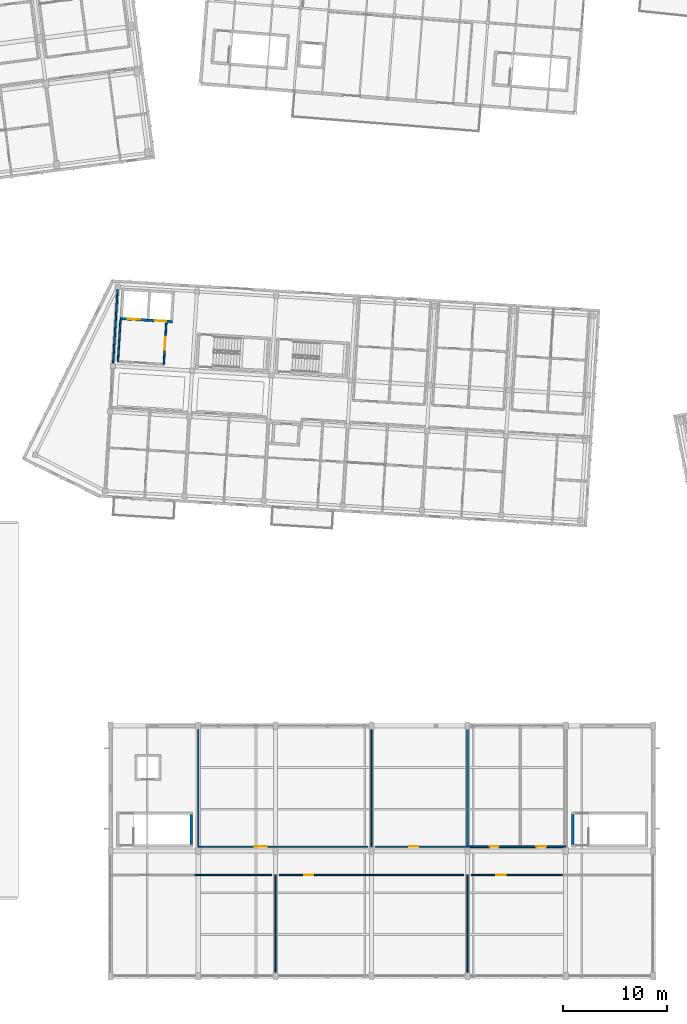
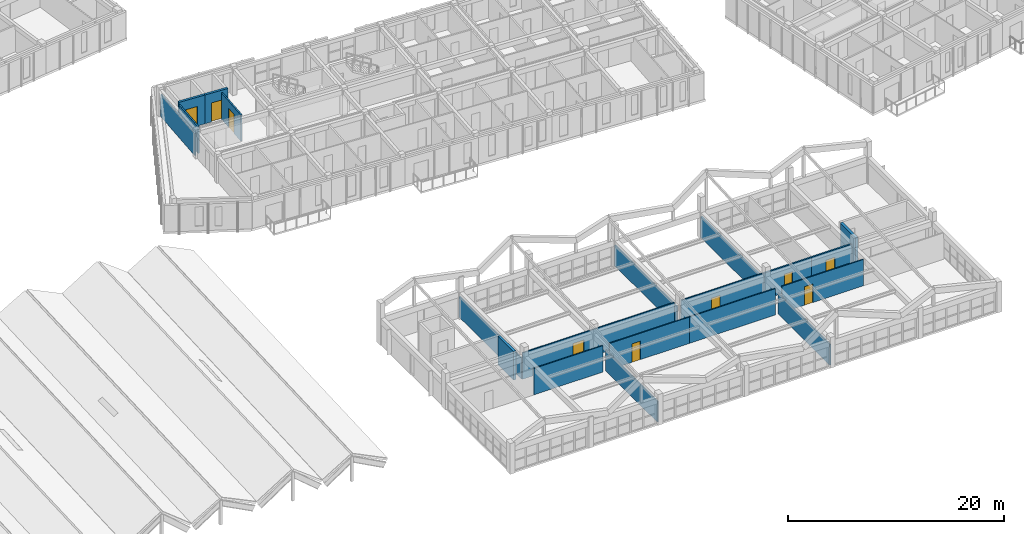
# One storey, part 73 of 127: 20 walls, 9 doors, 9 openings.
"""IFC4 building model written with IfcOpenShell, lengths in metres."""

from ifc_helpers import new_model, si_unit, direction, frame, frame_2d, origin, place, context, subcontext, project, spatial, rectangle, extrude, material, layer, layer_set, type_object, element, fill, save


model = new_model("IFC4")

# Units and contexts
model_context = context("Model", 3, precision=1e-05, world=origin(), true_north=direction((0.0, 1.0)))
body_context = subcontext(model_context, "Body", "Model", "MODEL_VIEW")
ifc_project = project(units=[si_unit("LENGTHUNIT", "METRE"), si_unit("AREAUNIT", "SQUARE_METRE"), si_unit("VOLUMEUNIT", "CUBIC_METRE"), si_unit("PLANEANGLEUNIT", "RADIAN"), si_unit("MASSUNIT", "GRAM", prefix="KILO")], contexts=[model_context])

# Site, building, storey
site_placement = place(None, origin())
site = spatial("IfcSite", under=ifc_project, at=site_placement, CompositionType="ELEMENT")
building_placement = place(site_placement, origin())
building = spatial("IfcBuilding", under=site, at=building_placement, Name="Kestramere Prow Commons", CompositionType="ELEMENT")
storey_placement = place(building_placement, frame((0.0, 0.0, 8.39990234375)))
storey = spatial("IfcBuildingStorey", under=building, at=storey_placement, Name="L02", CompositionType="ELEMENT", Elevation=8.39990234375)

# Wall, opening, door
ifc_material_1 = material(Name="Concrete C40/50", Category="concrete")
ifc_layer_1 = layer(ifc_material_1, 0.25)
ifc_layer_set_1 = layer_set([ifc_layer_1], Name="Concrete C40/50")
wall_type_1 = type_object("IfcWallType", Name="W-CORE-250", PredefinedType="SHEAR", material=ifc_layer_set_1)
wall_1_placement = place(storey_placement, frame((60.9111328125, 63.019775390625, 0.0), z_axis=(0.0, 0.0, 1.0), x_axis=(0.998134099905, -0.061059959111, 0.0)))
wall_1 = element("IfcWall", 1, at=wall_1_placement, inside=storey, type_object=wall_type_1, Name="Block C L02 Fire Lift Shaft Front Wall", PredefinedType="SHEAR", context=body_context, shape_type="SweptSolid", body=[
    extrude(rectangle(XDim=2.6748046875, YDim=0.25, at=frame_2d((1.33740234375, 0.0))), origin(), (0.0, 0.0, 1.0), 3.25),
])
opening_1_placement = place(wall_1_placement, frame((0.719970703125, 0.0, 0.0)))
opening_1 = element("IfcOpeningElement", 2, at=opening_1_placement, cuts=wall_1, Name="Opening LD-02", PredefinedType="OPENING", context=body_context, shape_type="SweptSolid", body=[
    extrude(rectangle(XDim=1.199951171875, YDim=2.199951171875, at=frame_2d((0.60009765625, 1.10009765625))), frame((0.0, 0.139892578125, 0.0), z_axis=(0.0, -1.0, 0.0), x_axis=(1.0, 0.0, 0.0)), (0.0, 0.0, 1.0), 0.280029296875),
])
ifc_material_2 = material(Name="Brushed Stainless Steel 316", Category="steel")
door_type_1 = type_object("IfcDoorType", Name="LD-02", OperationType="DOUBLE_DOOR_SLIDING", PredefinedType="DOOR", material=ifc_material_2)
door_1_placement = place(opening_1_placement, origin())
door_1 = element("IfcDoor", 3, at=door_1_placement, inside=storey, type_object=door_type_1, Name="FL-C1 L02 Lift Landing Door", OperationType="DOUBLE_DOOR_SLIDING", OverallHeight=2.199951171875, OverallWidth=1.199951171875, PredefinedType="DOOR", context=body_context, shape_type="SweptSolid", body=[
    extrude(rectangle(XDim=1.199951171875, YDim=2.199951171875, at=frame_2d((0.60009765625, 1.10009765625))), frame((0.0, 0.02490234375, 0.0), z_axis=(0.0, -1.0, 0.0), x_axis=(1.0, 0.0, 0.0)), (0.0, 0.0, 1.0), 0.050048828125),
])
fill(opening_1, door_1)

wall_2_placement = place(storey_placement, frame((63.5810546875, 62.8564453125, 0.0), z_axis=(0.0, 0.0, 1.0), x_axis=(0.998134103342, -0.061059902923, 0.0)))
wall_2 = element("IfcWall", 4, at=wall_2_placement, inside=storey, type_object=wall_type_1, Name="Block C L02 Passenger Lift Shaft Front Wall", PredefinedType="SHEAR", context=body_context, shape_type="SweptSolid", body=[
    extrude(rectangle(XDim=2.375, YDim=0.25, at=frame_2d((1.1875, 0.0))), origin(), (0.0, 0.0, 1.0), 3.25),
])
opening_2_placement = place(wall_2_placement, frame((0.64990234375, 0.0, 0.0)))
opening_2 = element("IfcOpeningElement", 5, at=opening_2_placement, cuts=wall_2, Name="Opening LD-01", PredefinedType="OPENING", context=body_context, shape_type="SweptSolid", body=[
    extrude(rectangle(XDim=1.10009765625, YDim=2.14990234375, at=frame_2d((0.550048828125, 1.074951171875))), frame((0.0, 0.139892578125, 0.0), z_axis=(0.0, -1.0, 0.0), x_axis=(1.0, 0.0, 0.0)), (0.0, 0.0, 1.0), 0.280029296875),
])
ifc_material_3 = material(Name="Brushed Stainless Steel 304", Category="steel")
door_type_2 = type_object("IfcDoorType", Name="LD-01", OperationType="DOUBLE_DOOR_SLIDING", PredefinedType="DOOR", material=ifc_material_3)
door_2_placement = place(opening_2_placement, origin())
door_2 = element("IfcDoor", 6, at=door_2_placement, inside=storey, type_object=door_type_2, Name="PL-C2 L02 Lift Landing Door", OperationType="DOUBLE_DOOR_SLIDING", OverallHeight=2.14990234375, OverallWidth=1.10009765625, PredefinedType="DOOR", context=body_context, shape_type="SweptSolid", body=[
    extrude(rectangle(XDim=1.10009765625, YDim=2.14990234375, at=frame_2d((0.550048828125, 1.074951171875))), frame((0.0, 0.02490234375, 0.0), z_axis=(0.0, -1.0, 0.0), x_axis=(1.0, 0.0, 0.0)), (0.0, 0.0, 1.0), 0.050048828125),
])
fill(opening_2, door_2)

# Walls
for number, where, z_axis, x_axis, name in (
    (7, (67.72509765625, 12.64990234375, 0.0), (0.0, 0.0, 1.0), (0.0, 1.0, 0.0), "SW-ST-M1-L02-F"),
    (8, (104.27490234375, 12.64990234375, 0.0), (0.0, 0.0, 1.0), (0.0, 1.0, 0.0), "SW-ST-M2-L02-N"),
):
    element("IfcWall", number, at=place(storey_placement, frame(where, z_axis=z_axis, x_axis=x_axis)), inside=storey, type_object=wall_type_1, Name=name, PredefinedType="SHEAR", context=body_context, shape_type="SweptSolid", body=[
        extrude(rectangle(XDim=2.85009765625, YDim=0.25, at=frame_2d((1.425048828125, 0.0))), origin(), (0.0, 0.0, 1.0), 3.25),
    ])
ifc_material_4 = material(Name="Fire-Rated Calcium Silicate Wall")
ifc_layer_2 = layer(ifc_material_4, 0.155029296875)
ifc_layer_set_2 = layer_set([ifc_layer_2], Name="Fire-Rated Calcium Silicate Wall")
wall_type_2 = type_object("IfcWallType", Name="W-FIRE-150", PredefinedType="PARTITIONING", material=ifc_layer_set_2)
wall_3_placement = place(storey_placement, frame((60.709228515625, 58.8994140625, 0.0), z_axis=(0.0, 0.0, 1.0), x_axis=(0.061036844229, 0.998135513669, 0.0)))
element("IfcWall", 9, at=wall_3_placement, inside=storey, type_object=wall_type_2, Name="Interior Partition PW-C-L02-FFL-W", PredefinedType="PARTITIONING", context=body_context, shape_type="SweptSolid", body=[
    extrude(rectangle(XDim=4.0, YDim=0.155029296875, at=frame_2d((2.0, 0.0))), origin(), (0.0, 0.0, 1.0), 2.97021484375),
])

# Wall, opening, door
wall_4_placement = place(storey_placement, frame((65.10107421875, 58.630615234375, 0.0), z_axis=(0.0, 0.0, 1.0), x_axis=(0.061033125904, 0.99813574104, 0.0)))
wall_4 = element("IfcWall", 10, at=wall_4_placement, inside=storey, type_object=wall_type_2, Name="Interior Partition PW-C-L02-FFL-E", PredefinedType="PARTITIONING", context=body_context, shape_type="SweptSolid", body=[
    extrude(rectangle(XDim=4.000244140625, YDim=0.155029296875, at=frame_2d((2.0, 0.0))), origin(), (0.0, 0.0, 1.0), 2.97021484375),
])
opening_3_placement = place(wall_4_placement, frame((1.39990234375, 0.0, 0.0)))
opening_3 = element("IfcOpeningElement", 11, at=opening_3_placement, cuts=wall_4, Name="Opening ID-03", PredefinedType="OPENING", context=body_context, shape_type="SweptSolid", body=[
    extrude(rectangle(XDim=1.179931640625, YDim=2.14990234375, at=frame_2d((0.58984375, 1.074951171875))), frame((0.0, 0.092529296875, 0.0), z_axis=(0.0, -1.0, 0.0), x_axis=(1.0, 0.0, 0.0)), (0.0, 0.0, 1.0), 0.18505859375),
])
ifc_material_5 = material(Name="Fire-Rated Glazed Smoke-Stop Door")
door_type_3 = type_object("IfcDoorType", Name="FD-LB-01", OperationType="NOTDEFINED", PredefinedType="DOOR", material=ifc_material_5)
door_3_placement = place(opening_3_placement, origin())
door_3 = element("IfcDoor", 12, at=door_3_placement, inside=storey, type_object=door_type_3, Name="Interior Door DR-C-L02-FFL-PL", OperationType="SINGLE_SWING_LEFT", OverallHeight=2.14990234375, OverallWidth=1.179931640625, PredefinedType="DOOR", context=body_context, shape_type="SweptSolid", body=[
    extrude(rectangle(XDim=1.179931640625, YDim=2.14990234375, at=frame_2d((0.58984375, 1.074951171875))), frame((0.0, 0.02490234375, 0.0), z_axis=(0.0, -1.0, 0.0), x_axis=(1.0, 0.0, 0.0)), (0.0, 0.0, 1.0), 0.050048828125),
])
fill(opening_3, door_3)

# Wall
ifc_material_6 = material(Name="Lightweight Blockwork and Plaster", Category="masonry")
ifc_layer_3 = layer(ifc_material_6, 0.1201171875)
ifc_layer_set_3 = layer_set([ifc_layer_3], Name="Lightweight Blockwork and Plaster")
wall_type_3 = type_object("IfcWallType", Name="W-PART-120", PredefinedType="PARTITIONING", material=ifc_layer_set_3)
wall_5_placement = place(storey_placement, frame((68.050048828125, 9.719970703125, 0.0), z_axis=(0.0, 0.0, 1.0), x_axis=(1.0, 0.0, 0.0)))
element("IfcWall", 13, at=wall_5_placement, inside=storey, type_object=wall_type_3, Name="Interior Partition PW-MK-L02-CS-1", PredefinedType="PARTITIONING", context=body_context, shape_type="SweptSolid", body=[
    extrude(rectangle(XDim=7.39990234375, YDim=0.1201171875, at=frame_2d((3.699951171875, 0.0))), origin(), (0.0, 0.0, 1.0), 2.97998046875),
])

# Wall, opening, door
wall_6_placement = place(storey_placement, frame((76.14990234375, 9.719970703125, 0.0), z_axis=(0.0, 0.0, 1.0), x_axis=(1.0, 0.0, 0.0)))
wall_6 = element("IfcWall", 14, at=wall_6_placement, inside=storey, type_object=wall_type_3, Name="Interior Partition PW-MK-L02-CS-2", PredefinedType="PARTITIONING", context=body_context, shape_type="SweptSolid", body=[
    extrude(rectangle(XDim=8.5, YDim=0.1201171875, at=frame_2d((4.25, 0.0))), origin(), (0.0, 0.0, 1.0), 2.97998046875),
])
opening_4_placement = place(wall_6_placement, frame((2.39990234375, 0.0, 0.0)))
opening_4 = element("IfcOpeningElement", 15, at=opening_4_placement, cuts=wall_6, Name="Opening ID-10", PredefinedType="OPENING", context=body_context, shape_type="SweptSolid", body=[
    extrude(rectangle(XDim=0.8798828125, YDim=2.10009765625, at=frame_2d((0.43994140625, 1.050048828125))), frame((0.0, 0.074951171875, 0.0), z_axis=(0.0, -1.0, 0.0), x_axis=(1.0, 0.0, 0.0)), (0.0, 0.0, 1.0), 0.150146484375),
])
ifc_material_7 = material(Name="Engineered Timber Bedroom Door", Category="wood")
door_type_4 = type_object("IfcDoorType", Name="D-RM-03", OperationType="NOTDEFINED", PredefinedType="DOOR", material=ifc_material_7)
door_4_placement = place(opening_4_placement, origin())
door_4 = element("IfcDoor", 16, at=door_4_placement, inside=storey, type_object=door_type_4, Name="Interior Door DR-MK-L02-S-2", OperationType="SINGLE_SWING_LEFT", OverallHeight=2.10009765625, OverallWidth=0.8798828125, PredefinedType="DOOR", context=body_context, shape_type="SweptSolid", body=[
    extrude(rectangle(XDim=0.8798828125, YDim=2.10009765625, at=frame_2d((0.43994140625, 1.050048828125))), frame((0.0, 0.02490234375, 0.0), z_axis=(0.0, -1.0, 0.0), x_axis=(1.0, 0.0, 0.0)), (0.0, 0.0, 1.0), 0.050048828125),
])
fill(opening_4, door_4)

# Wall
wall_7_placement = place(storey_placement, frame((84.64990234375, 9.719970703125, 0.0), z_axis=(0.0, 0.0, 1.0), x_axis=(1.0, 0.0, 0.0)))
element("IfcWall", 17, at=wall_7_placement, inside=storey, type_object=wall_type_3, Name="Interior Partition PW-MK-L02-CS-3", PredefinedType="PARTITIONING", context=body_context, shape_type="SweptSolid", body=[
    extrude(rectangle(XDim=9.2001953125, YDim=0.1201171875, at=frame_2d((4.60009765625, 0.0))), origin(), (0.0, 0.0, 1.0), 2.97998046875),
])

# Wall, opening, door
wall_8_placement = place(storey_placement, frame((94.550048828125, 9.719970703125, 0.0), z_axis=(0.0, 0.0, 1.0), x_axis=(1.0, 0.0, 0.0)))
wall_8 = element("IfcWall", 18, at=wall_8_placement, inside=storey, type_object=wall_type_3, Name="Interior Partition PW-MK-L02-CS-4", PredefinedType="PARTITIONING", context=body_context, shape_type="SweptSolid", body=[
    extrude(rectangle(XDim=8.699951171875, YDim=0.1201171875, at=frame_2d((4.35009765625, 0.0))), origin(), (0.0, 0.0, 1.0), 2.97998046875),
])
opening_5_placement = place(wall_8_placement, frame((2.39990234375, 0.0, 0.0)))
opening_5 = element("IfcOpeningElement", 19, at=opening_5_placement, cuts=wall_8, Name="Opening ID-08", PredefinedType="OPENING", context=body_context, shape_type="SweptSolid", body=[
    extrude(rectangle(XDim=0.89990234375, YDim=2.10009765625, at=frame_2d((0.449951171875, 1.050048828125))), frame((0.0, 0.074951171875, 0.0), z_axis=(0.0, -1.0, 0.0), x_axis=(1.0, 0.0, 0.0)), (0.0, 0.0, 1.0), 0.150146484375),
])
ifc_material_8 = material(Name="Engineered Timber Flush Door", Category="wood")
door_type_5 = type_object("IfcDoorType", Name="D-RM-01", OperationType="NOTDEFINED", PredefinedType="DOOR", material=ifc_material_8)
door_5_placement = place(opening_5_placement, origin())
door_5 = element("IfcDoor", 20, at=door_5_placement, inside=storey, type_object=door_type_5, Name="Interior Door DR-MK-L02-S-4", OperationType="SINGLE_SWING_LEFT", OverallHeight=2.10009765625, OverallWidth=0.89990234375, PredefinedType="DOOR", context=body_context, shape_type="SweptSolid", body=[
    extrude(rectangle(XDim=0.89990234375, YDim=2.10009765625, at=frame_2d((0.449951171875, 1.050048828125))), frame((0.0, 0.02490234375, 0.0), z_axis=(0.0, -1.0, 0.0), x_axis=(1.0, 0.0, 0.0)), (0.0, 0.0, 1.0), 0.050048828125),
])
fill(opening_5, door_5)

# Walls
for number, where, z_axis, x_axis, name in (
    (21, (75.800048828125, 0.1201171875, 0.0), (0.0, 0.0, 1.0), (0.0, 1.0, 0.0), "Interior Partition PW-MK-L02-DV-158"),
    (22, (94.199951171875, 0.1201171875, 0.0), (0.0, 0.0, 1.0), (0.0, 1.0, 0.0), "Interior Partition PW-MK-L02-DV-342"),
):
    element("IfcWall", number, at=place(storey_placement, frame(where, z_axis=z_axis, x_axis=x_axis)), inside=storey, type_object=wall_type_3, Name=name, PredefinedType="PARTITIONING", context=body_context, shape_type="SweptSolid", body=[
        extrude(rectangle(XDim=9.599853515625, YDim=0.1201171875, at=frame_2d((4.7998046875, 0.0))), origin(), (0.0, 0.0, 1.0), 2.35009765625),
    ])

# Wall, opening, door
wall_9_placement = place(storey_placement, frame((68.39990234375, 12.419921875, 0.0), z_axis=(0.0, 0.0, 1.0), x_axis=(1.0, 0.0, 0.0)))
wall_9 = element("IfcWall", 23, at=wall_9_placement, inside=storey, type_object=wall_type_3, Name="Interior Partition PW-MK-L02-CN-84", PredefinedType="PARTITIONING", context=body_context, shape_type="SweptSolid", body=[
    extrude(rectangle(XDim=16.25, YDim=0.1201171875, at=frame_2d((8.125, 0.0))), origin(), (0.0, 0.0, 1.0), 2.97998046875),
])
opening_6_placement = place(wall_9_placement, frame((5.39990234375, 0.0, 0.0)))
opening_6 = element("IfcOpeningElement", 24, at=opening_6_placement, cuts=wall_9, Name="Opening ID-09", PredefinedType="OPENING", context=body_context, shape_type="SweptSolid", body=[
    extrude(rectangle(XDim=1.14990234375, YDim=2.14990234375, at=frame_2d((0.574951171875, 1.074951171875))), frame((0.0, 0.074951171875, 0.0), z_axis=(0.0, -1.0, 0.0), x_axis=(1.0, 0.0, 0.0)), (0.0, 0.0, 1.0), 0.150146484375),
])
ifc_material_9 = material(Name="Engineered Timber Acoustic Door", Category="wood")
door_type_6 = type_object("IfcDoorType", Name="D-RM-02", OperationType="NOTDEFINED", PredefinedType="DOOR", material=ifc_material_9)
door_6_placement = place(opening_6_placement, origin())
door_6 = element("IfcDoor", 25, at=door_6_placement, inside=storey, type_object=door_type_6, Name="Interior Door DR-MK-L02-N1", OperationType="SINGLE_SWING_RIGHT", OverallHeight=2.14990234375, OverallWidth=1.14990234375, PredefinedType="DOOR", context=body_context, shape_type="SweptSolid", body=[
    extrude(rectangle(XDim=1.14990234375, YDim=2.14990234375, at=frame_2d((0.574951171875, 1.074951171875))), frame((0.0, 0.02490234375, 0.0), z_axis=(0.0, -1.0, 0.0), x_axis=(1.0, 0.0, 0.0)), (0.0, 0.0, 1.0), 0.050048828125),
])
fill(opening_6, door_6)

wall_10_placement = place(storey_placement, frame((85.35009765625, 12.419921875, 0.0), z_axis=(0.0, 0.0, 1.0), x_axis=(1.0, 0.0, 0.0)))
wall_10 = element("IfcWall", 26, at=wall_10_placement, inside=storey, type_object=wall_type_3, Name="Interior Partition PW-MK-L02-CN-253", PredefinedType="PARTITIONING", context=body_context, shape_type="SweptSolid", body=[
    extrude(rectangle(XDim=8.849853515625, YDim=0.1201171875, at=frame_2d((4.4248046875, 0.0))), origin(), (0.0, 0.0, 1.0), 2.97998046875),
])
opening_7_placement = place(wall_10_placement, frame((3.25, 0.0, 0.0)))
opening_7 = element("IfcOpeningElement", 27, at=opening_7_placement, cuts=wall_10, Name="Opening ID-08", PredefinedType="OPENING", context=body_context, shape_type="SweptSolid", body=[
    extrude(rectangle(XDim=0.89990234375, YDim=2.10009765625, at=frame_2d((0.449951171875, 1.050048828125))), frame((0.0, 0.074951171875, 0.0), z_axis=(0.0, -1.0, 0.0), x_axis=(1.0, 0.0, 0.0)), (0.0, 0.0, 1.0), 0.150146484375),
])
door_7_placement = place(opening_7_placement, origin())
door_7 = element("IfcDoor", 28, at=door_7_placement, inside=storey, type_object=door_type_5, Name="Interior Door DR-MK-L02-N2", OperationType="SINGLE_SWING_RIGHT", OverallHeight=2.10009765625, OverallWidth=0.89990234375, PredefinedType="DOOR", context=body_context, shape_type="SweptSolid", body=[
    extrude(rectangle(XDim=0.89990234375, YDim=2.10009765625, at=frame_2d((0.449951171875, 1.050048828125))), frame((0.0, 0.02490234375, 0.0), z_axis=(0.0, -1.0, 0.0), x_axis=(1.0, 0.0, 0.0)), (0.0, 0.0, 1.0), 0.050048828125),
])
fill(opening_7, door_7)

# Walls
for number, where, z_axis, x_axis, name in (
    (29, (68.39990234375, 12.419921875, 0.0), (0.0, 0.0, 1.0), (0.0, 1.0, 0.0), "Interior Partition PW-MK-L02-DN-84"),
    (30, (85.0, 12.419921875, 0.0), (0.0, 0.0, 1.0), (0.0, 1.0, 0.0), "Interior Partition PW-MK-L02-DN-250"),
):
    element("IfcWall", number, at=place(storey_placement, frame(where, z_axis=z_axis, x_axis=x_axis)), inside=storey, type_object=wall_type_3, Name=name, PredefinedType="PARTITIONING", context=body_context, shape_type="SweptSolid", body=[
        extrude(rectangle(XDim=11.5400390625, YDim=0.1201171875, at=frame_2d((5.77001953125, 0.0))), origin(), (0.0, 0.0, 1.0), 2.35009765625),
    ])
ifc_material_10 = material(Name="Masonry Compartment Wall", Category="masonry")
ifc_layer_4 = layer(ifc_material_10, 0.14990234375)
ifc_layer_set_4 = layer_set([ifc_layer_4], Name="Masonry Compartment Wall")
wall_type_4 = type_object("IfcWallType", Name="W-PART-150", PredefinedType="PARTITIONING", material=ifc_layer_set_4)
wall_11_placement = place(storey_placement, frame((60.24853515625, 58.737060546875, 0.0), z_axis=(0.0, 0.0, 1.0), x_axis=(0.061034344288, 0.998135666539, 0.0)))
element("IfcWall", 31, at=wall_11_placement, inside=storey, type_object=wall_type_4, Name="Interior Partition PW-C-L02-PRW-N", PredefinedType="PARTITIONING", context=body_context, shape_type="SweptSolid", body=[
    extrude(rectangle(XDim=7.080078125, YDim=0.14990234375, at=frame_2d((3.5400390625, 0.0))), origin(), (0.0, 0.0, 1.0), 2.5),
])

# Wall, opening, door
ifc_material_11 = material(Name="Waterproof Sanitary Masonry Wall", Category="masonry")
ifc_layer_5 = layer(ifc_material_11, 0.1650390625)
ifc_layer_set_5 = layer_set([ifc_layer_5], Name="Waterproof Sanitary Masonry Wall")
wall_type_5 = type_object("IfcWallType", Name="W-PLUMB-150", PredefinedType="PLUMBINGWALL", material=ifc_layer_set_5)
wall_12_placement = place(storey_placement, frame((94.199951171875, 12.419921875, 0.0), z_axis=(0.0, 0.0, 1.0), x_axis=(1.0, 0.0, 0.0)))
wall_12 = element("IfcWall", 32, at=wall_12_placement, inside=storey, type_object=wall_type_5, Name="Interior Partition PW-MK-L02-CN-342", PredefinedType="PLUMBINGWALL", context=body_context, shape_type="SweptSolid", body=[
    extrude(rectangle(XDim=5.050048828125, YDim=0.1650390625, at=frame_2d((2.52490234375, 0.0))), origin(), (0.0, 0.0, 1.0), 2.97998046875),
])
opening_8_placement = place(wall_12_placement, frame((2.14990234375, 0.0, 0.0)))
opening_8 = element("IfcOpeningElement", 33, at=opening_8_placement, cuts=wall_12, Name="Opening ID-12", PredefinedType="OPENING", context=body_context, shape_type="SweptSolid", body=[
    extrude(rectangle(XDim=0.860107421875, YDim=2.10009765625, at=frame_2d((0.43017578125, 1.050048828125))), frame((0.0, 0.097412109375, 0.0), z_axis=(0.0, -1.0, 0.0), x_axis=(1.0, 0.0, 0.0)), (0.0, 0.0, 1.0), 0.195068359375),
])
ifc_material_12 = material(Name="Moisture-Resistant Timber WC Door", Category="wood")
door_type_7 = type_object("IfcDoorType", Name="D-WC-01", OperationType="NOTDEFINED", PredefinedType="DOOR", material=ifc_material_12)
door_8_placement = place(opening_8_placement, origin())
door_8 = element("IfcDoor", 34, at=door_8_placement, inside=storey, type_object=door_type_7, Name="Interior Door DR-MK-L02-PWC", OperationType="SINGLE_SWING_RIGHT", OverallHeight=2.10009765625, OverallWidth=0.860107421875, PredefinedType="DOOR", context=body_context, shape_type="SweptSolid", body=[
    extrude(rectangle(XDim=0.860107421875, YDim=2.10009765625, at=frame_2d((0.43017578125, 1.050048828125))), frame((0.0, 0.02490234375, 0.0), z_axis=(0.0, -1.0, 0.0), x_axis=(1.0, 0.0, 0.0)), (0.0, 0.0, 1.0), 0.050048828125),
])
fill(opening_8, door_8)

wall_13_placement = place(storey_placement, frame((99.25, 12.419921875, 0.0), z_axis=(0.0, 0.0, 1.0), x_axis=(1.0, 0.0, 0.0)))
wall_13 = element("IfcWall", 35, at=wall_13_placement, inside=storey, type_object=wall_type_5, Name="Interior Partition PW-MK-L02-CN-392", PredefinedType="PLUMBINGWALL", context=body_context, shape_type="SweptSolid", body=[
    extrude(rectangle(XDim=4.35009765625, YDim=0.1650390625, at=frame_2d((2.175048828125, 0.0))), origin(), (0.0, 0.0, 1.0), 2.97998046875),
])
opening_9_placement = place(wall_13_placement, frame((1.550048828125, 0.0, 0.0)))
opening_9 = element("IfcOpeningElement", 36, at=opening_9_placement, cuts=wall_13, Name="Opening ID-13", PredefinedType="OPENING", context=body_context, shape_type="SweptSolid", body=[
    extrude(rectangle(XDim=0.9599609375, YDim=2.1201171875, at=frame_2d((0.47998046875, 1.06005859375))), frame((0.0, 0.097412109375, 0.0), z_axis=(0.0, -1.0, 0.0), x_axis=(1.0, 0.0, 0.0)), (0.0, 0.0, 1.0), 0.195068359375),
])
ifc_material_13 = material(Name="Accessible Wide-Leaf Timber Door", Category="wood")
door_type_8 = type_object("IfcDoorType", Name="D-ACC-01", OperationType="NOTDEFINED", PredefinedType="DOOR", material=ifc_material_13)
door_9_placement = place(opening_9_placement, origin())
door_9 = element("IfcDoor", 37, at=door_9_placement, inside=storey, type_object=door_type_8, Name="Interior Door DR-MK-L02-AWC", OperationType="SINGLE_SWING_RIGHT", OverallHeight=2.1201171875, OverallWidth=0.9599609375, PredefinedType="DOOR", context=body_context, shape_type="SweptSolid", body=[
    extrude(rectangle(XDim=0.9599609375, YDim=2.1201171875, at=frame_2d((0.47998046875, 1.06005859375))), frame((0.0, 0.02490234375, 0.0), z_axis=(0.0, -1.0, 0.0), x_axis=(1.0, 0.0, 0.0)), (0.0, 0.0, 1.0), 0.050048828125),
])
fill(opening_9, door_9)

# Wall
wall_14_placement = place(storey_placement, frame((94.199951171875, 12.419921875, 0.0), z_axis=(0.0, 0.0, 1.0), x_axis=(0.0, 1.0, 0.0)))
element("IfcWall", 38, at=wall_14_placement, inside=storey, type_object=wall_type_5, Name="Interior Partition PW-MK-L02-DN-342", PredefinedType="PLUMBINGWALL", context=body_context, shape_type="SweptSolid", body=[
    extrude(rectangle(XDim=11.5400390625, YDim=0.1650390625, at=frame_2d((5.77001953125, 0.0))), origin(), (0.0, 0.0, 1.0), 2.35009765625),
])

save(model, "model.ifc")
